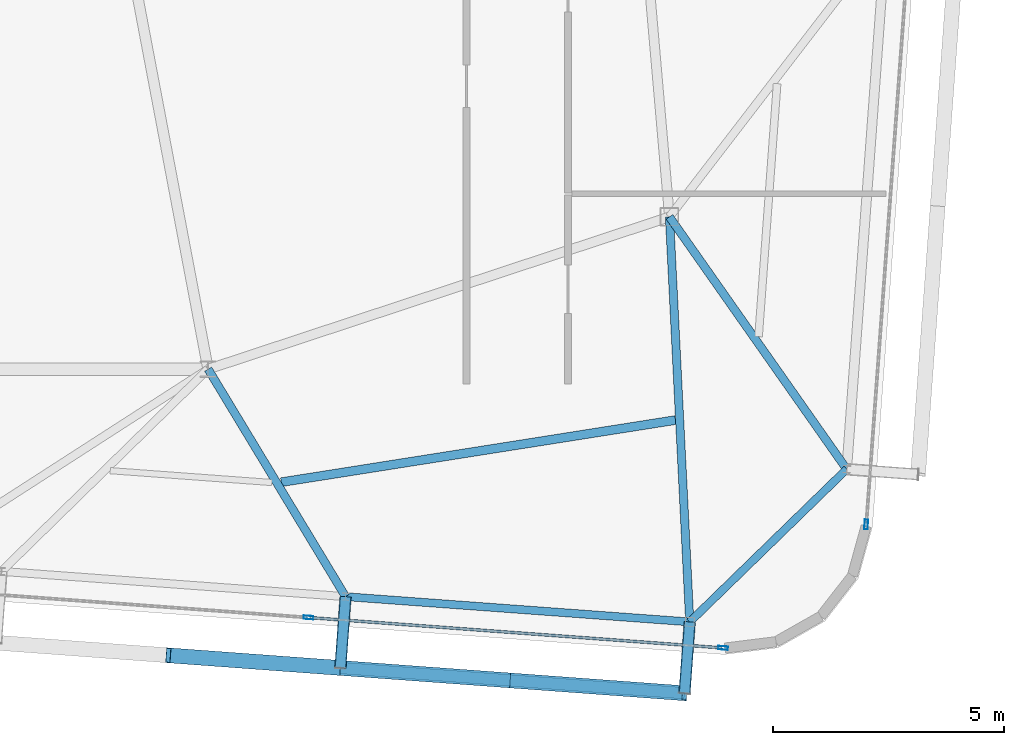
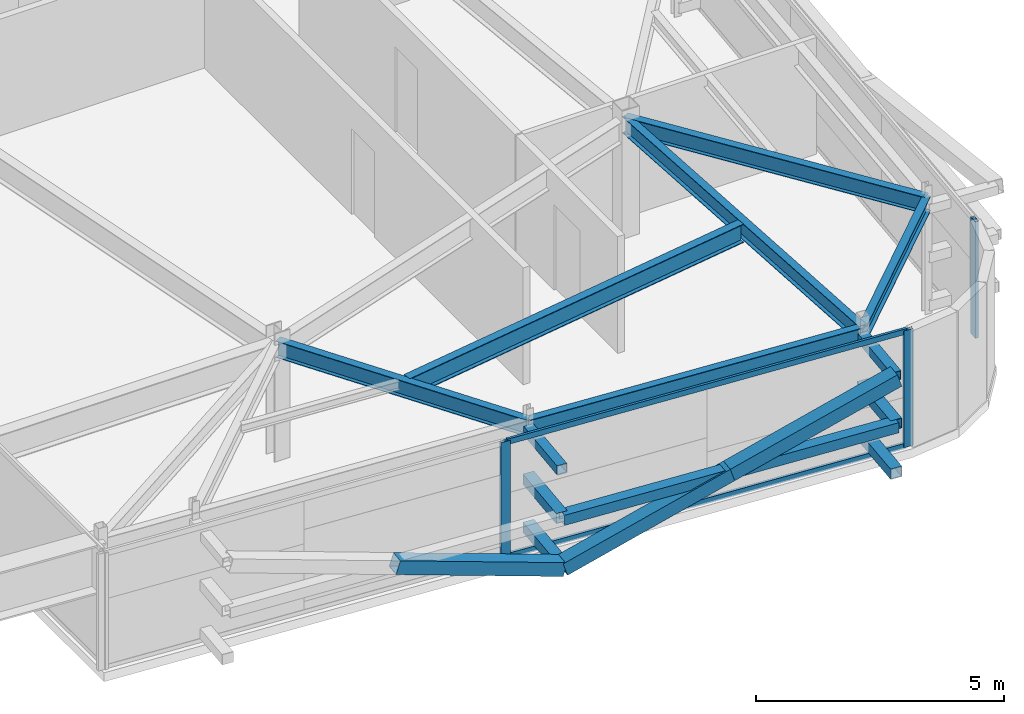
# One storey, part 19 of 40: 15 members, 6 beams, 2 elements without a shape of their own.
"""IFC4 building model written with IfcOpenShell, lengths in metres."""

from ifc_helpers import new_model, si_unit, direction, frame, origin, origin_2d, place, context, subcontext, project, spatial, hollow_rectangle, i_section, extrude, source, transform, mapped, material, layer, layer_set, material_profile, profile_set, type_object, element, aggregate, save


model = new_model("IFC4")

# Units and contexts
model_context = context("Model", 3, precision=1e-05, world=origin(), true_north=direction((0.0, 1.0)))
body_context = subcontext(model_context, "Body", "Model", "MODEL_VIEW")
ifc_project = project(units=[si_unit("LENGTHUNIT", "METRE"), si_unit("AREAUNIT", "SQUARE_METRE"), si_unit("VOLUMEUNIT", "CUBIC_METRE"), si_unit("PLANEANGLEUNIT", "RADIAN"), si_unit("MASSUNIT", "GRAM", prefix="KILO")], contexts=[model_context])

# Site, building, storey
site_placement = place(None, origin())
site = spatial("IfcSite", under=ifc_project, at=site_placement, CompositionType="ELEMENT")
building_placement = place(site_placement, origin())
building = spatial("IfcBuilding", under=site, at=building_placement, Name="Taldren Reach Tower", CompositionType="ELEMENT")
storey_placement = place(building_placement, frame((0.0, 0.0, 233.449951171875)))
storey = spatial("IfcBuildingStorey", under=building, at=storey_placement, Name="L71", CompositionType="ELEMENT", Elevation=233.449951171875)

# Members
ifc_material_1 = material(Name="Steel Gr 350 (C350L0)", Category="steel")
ifc_material_profile_1 = material_profile(ifc_material_1, hollow_rectangle(XDim=0.25, YDim=0.25, WallThickness=0.010009765625, at=origin_2d()), Name="250x250x10.0SHS")
ifc_profile_set_1 = profile_set([ifc_material_profile_1], Name="Steel Gr 350 (C350L0)")
member_type_1 = type_object("IfcMemberType", Name="MB-POST250", PredefinedType="POST", material=ifc_profile_set_1)
shared_shape_1 = source(origin(), body_context, "Body", "SweptSolid", [
    extrude(hollow_rectangle(XDim=0.25, YDim=0.25, WallThickness=0.010009765625, at=origin_2d()), origin(), (0.0, 0.0, 1.0), 1.550048828125),
])
for number, where, z_axis, x_axis, name in (
    (1, (44.980224609375, 4.26904296875, 0.219970703125), (-0.07323929162, -0.997314396849, 0.0), (0.997314396849, -0.07323929162, 0.0), "Exoskeleton base diaphragm tie strut B5-S5 L71"),
    (2, (52.440185546875, 3.72119140625, 0.219970703125), (-0.07323929162, -0.997314396849, 0.0), (0.997314396849, -0.07323929162, 0.0), "Exoskeleton base diaphragm tie strut B5-S6 L71"),
    (3, (44.980224609375, 4.26904296875, 1.405029296875), (-0.07323929162, -0.997314396849, 0.0), (0.997314396849, -0.07323929162, 0.0), "Exoskeleton mid-tier diaphragm tie B5-S5 L71"),
    (4, (52.440185546875, 3.72119140625, 1.405029296875), (-0.07323929162, -0.997314396849, 0.0), (0.997314396849, -0.07323929162, 0.0), "Exoskeleton mid-tier diaphragm tie B5-S6 L71"),
):
    element("IfcMember", number, at=place(storey_placement, frame(where, z_axis=z_axis, x_axis=x_axis)), inside=storey, type_object=member_type_1, Name=name, PredefinedType="POST", context=body_context, shape_type="MappedRepresentation", body=[
        mapped(shared_shape_1, transform((0.0, 0.0, 0.0), scale=1.0)),
    ])
ifc_material_2 = material(Name="Steel Gr 450 (C450L0)", Category="steel")
ifc_material_profile_2 = material_profile(ifc_material_2, hollow_rectangle(XDim=0.219970703125, YDim=0.219970703125, WallThickness=0.00830078125, at=origin_2d()), Name="220x220x8.2SHS")
ifc_profile_set_2 = profile_set([ifc_material_profile_2], Name="Steel Gr 450 (C450L0)")
member_type_2 = type_object("IfcMemberType", Name="MB-TIE219", PredefinedType="STRUT", material=ifc_profile_set_2)
shared_shape_2 = source(origin(), body_context, "Body", "SweptSolid", [
    extrude(hollow_rectangle(XDim=0.219970703125, YDim=0.219970703125, WallThickness=0.00830078125, at=origin_2d()), origin(), (0.0, 0.0, 1.0), 1.550048828125),
])
for number, where, z_axis, x_axis, name in (
    (5, (44.980224609375, 4.26904296875, 2.590087890625), (-0.07323929162, -0.997314396849, 0.0), (0.997314396849, -0.07323929162, 0.0), "Exoskeleton diaphragm tie strut B5-S5 L71"),
    (6, (52.440185546875, 3.72119140625, 2.590087890625), (-0.07323929162, -0.997314396849, 0.0), (0.997314396849, -0.07323929162, 0.0), "Exoskeleton diaphragm tie strut B5-S6 L71"),
):
    element("IfcMember", number, at=place(storey_placement, frame(where, z_axis=z_axis, x_axis=x_axis)), inside=storey, type_object=member_type_2, Name=name, PredefinedType="STRUT", context=body_context, shape_type="MappedRepresentation", body=[
        mapped(shared_shape_2, transform((0.0, 0.0, 0.0), scale=1.0)),
    ])

# Beams
ifc_material_3 = material(Name="Steel Gr 350 (350PLUS)", Category="steel")
ifc_material_profile_3 = material_profile(ifc_material_3, i_section(OverallWidth=0.172119140625, OverallDepth=0.35888671875, WebThickness=0.008056640625, FlangeThickness=0.012939453125, at=origin_2d()), Name="360UB56.7")
ifc_profile_set_3 = profile_set([ifc_material_profile_3], Name="Steel Gr 350 (350PLUS)")
beam_type_1 = type_object("IfcBeamType", Name="SP-UB360", PredefinedType="SPANDREL", material=ifc_profile_set_3)
shared_shape_3 = source(origin(), body_context, "Body", "SweptSolid", [
    extrude(i_section(OverallWidth=0.172119140625, OverallDepth=0.35888671875, WebThickness=0.008056640625, FlangeThickness=0.012939453125, at=origin_2d()), origin(), (0.0, 0.0, 1.0), 7.47998046875),
])
beam_1_placement = place(storey_placement, frame((44.980224609375, 4.26904296875, 2.6904296875), z_axis=(0.997314220642, -0.07324169103, 0.0), x_axis=(0.07324169103, 0.997314220642, 0.0)))
element("IfcBeam", 7, at=beam_1_placement, inside=storey, type_object=beam_type_1, Name="Perimeter spandrel B5 S5-S6 L71", PredefinedType="SPANDREL", context=body_context, shape_type="MappedRepresentation", body=[
    mapped(shared_shape_3, transform((0.0, 0.0, 0.0), scale=1.0)),
])
shared_shape_4 = source(origin(), body_context, "Body", "SweptSolid", [
    extrude(i_section(OverallWidth=0.172119140625, OverallDepth=0.35888671875, WebThickness=0.008056640625, FlangeThickness=0.012939453125, at=origin_2d()), origin(), (0.0, 0.0, 1.0), 4.74609375),
])
beam_2_placement = place(storey_placement, frame((52.440185546875, 3.72119140625, 2.6904296875), z_axis=(0.716711338436, 0.697369957309, 0.0), x_axis=(-0.697369957309, 0.716711338436, 0.0)))
element("IfcBeam", 8, at=beam_2_placement, inside=storey, type_object=beam_type_1, Name="Perimeter spandrel B5 S6-E1 L71", PredefinedType="SPANDREL", context=body_context, shape_type="MappedRepresentation", body=[
    mapped(shared_shape_4, transform((0.0, 0.0, 0.0), scale=1.0)),
])
ifc_material_profile_4 = material_profile(ifc_material_3, i_section(OverallWidth=0.177978515625, OverallDepth=0.406005859375, WebThickness=0.0078125, FlangeThickness=0.0126953125, at=origin_2d()), Name="410UB59.7")
ifc_profile_set_4 = profile_set([ifc_material_profile_4], Name="Steel Gr 350 (350PLUS)")
beam_type_2 = type_object("IfcBeamType", Name="BM-UB410", PredefinedType="BEAM", material=ifc_profile_set_4)
shared_shape_5 = source(origin(), body_context, "Body", "SweptSolid", [
    extrude(i_section(OverallWidth=0.177978515625, OverallDepth=0.406005859375, WebThickness=0.0078125, FlangeThickness=0.0126953125, at=origin_2d()), origin(), (0.0, 0.0, 1.0), 5.761474609375),
])
beam_3_placement = place(storey_placement, frame((42.0, 9.199951171875, 2.6669921875), z_axis=(0.517259852514, -0.855828396922, 0.0), x_axis=(0.855828396922, 0.517259852514, 0.0)))
element("IfcBeam", 9, at=beam_3_placement, inside=storey, type_object=beam_type_2, Name="Primary floor girder B5-S5 L71", PredefinedType="BEAM", context=body_context, shape_type="MappedRepresentation", body=[
    mapped(shared_shape_5, transform((0.0, 0.0, 0.0), scale=1.0)),
])
shared_shape_6 = source(origin(), body_context, "Body", "SweptSolid", [
    extrude(i_section(OverallWidth=0.177978515625, OverallDepth=0.406005859375, WebThickness=0.0078125, FlangeThickness=0.0126953125, at=origin_2d()), origin(), (0.0, 0.0, 1.0), 8.789794921875),
])
beam_4_placement = place(storey_placement, frame((52.0, 12.5, 2.6669921875), z_axis=(0.050078917367, -0.998745263836, 0.0), x_axis=(0.998745263836, 0.050078917367, 0.0)))
element("IfcBeam", 10, at=beam_4_placement, inside=storey, type_object=beam_type_2, Name="Primary floor girder B5-S6 L71", PredefinedType="BEAM", context=body_context, shape_type="MappedRepresentation", body=[
    mapped(shared_shape_6, transform((0.0, 0.0, 0.0), scale=1.0)),
])
shared_shape_7 = source(origin(), body_context, "Body", "SweptSolid", [
    extrude(i_section(OverallWidth=0.177978515625, OverallDepth=0.406005859375, WebThickness=0.0078125, FlangeThickness=0.0126953125, at=origin_2d()), origin(), (0.0, 0.0, 1.0), 6.68359375),
])
beam_5_placement = place(storey_placement, frame((52.0, 12.5, 2.6669921875), z_axis=(0.574817292651, -0.818281785249, 0.0), x_axis=(0.818281785249, 0.574817292651, 0.0)))
element("IfcBeam", 11, at=beam_5_placement, inside=storey, type_object=beam_type_2, Name="Primary floor girder B5-E1 L71", PredefinedType="BEAM", context=body_context, shape_type="MappedRepresentation", body=[
    mapped(shared_shape_7, transform((0.0, 0.0, 0.0), scale=1.0)),
])
ifc_material_profile_5 = material_profile(ifc_material_3, i_section(OverallWidth=0.19091796875, OverallDepth=0.4599609375, WebThickness=0.010009765625, FlangeThickness=0.01611328125, at=origin_2d()), Name="460UB82.1")
ifc_profile_set_5 = profile_set([ifc_material_profile_5], Name="Steel Gr 350 (350PLUS)")
beam_type_3 = type_object("IfcBeamType", Name="BM-UB460A", PredefinedType="BEAM", material=ifc_profile_set_5)
shared_shape_8 = source(origin(), body_context, "Body", "SweptSolid", [
    extrude(i_section(OverallWidth=0.19091796875, OverallDepth=0.4599609375, WebThickness=0.010009765625, FlangeThickness=0.01611328125, at=origin_2d()), origin(), (0.0, 0.0, 1.0), 8.65185546875),
])
beam_6_placement = place(storey_placement, frame((43.585205078125, 6.74951171875, 2.64013671875), z_axis=(0.987803200413, 0.155707537562, 0.0), x_axis=(-0.155707537562, 0.987803200413, 0.0)))
element("IfcBeam", 12, at=beam_6_placement, inside=storey, type_object=beam_type_3, Name="Secondary floor beam B5 J5 L71", PredefinedType="BEAM", context=body_context, shape_type="MappedRepresentation", body=[
    mapped(shared_shape_8, transform((0.0, 0.0, 0.0), scale=1.0)),
])

# Members
shared_shape_9 = source(origin(), body_context, "Body", "SweptSolid", [
    extrude(hollow_rectangle(XDim=0.25, YDim=0.25, WallThickness=0.010009765625, at=origin_2d()), origin(), (0.0, 0.0, 1.0), 7.47998046875),
])
member_1_placement = place(storey_placement, frame((44.86669921875, 2.72314453125, 1.405029296875), z_axis=(0.997314220642, -0.07324169103, 0.0), x_axis=(0.07324169103, 0.997314220642, 0.0)))
element("IfcMember", 13, at=member_1_placement, inside=storey, type_object=member_type_1, Name="Exoskeleton mid-height ring chord B5-S4 L71", PredefinedType="POST", context=body_context, shape_type="MappedRepresentation", body=[
    mapped(shared_shape_9, transform((0.0, 0.0, 0.0), scale=1.0)),
])
ifc_material_profile_6 = material_profile(ifc_material_2, hollow_rectangle(XDim=0.324951171875, YDim=0.324951171875, WallThickness=0.0126953125, at=origin_2d()), Name="325x325x12.7SHS")
ifc_profile_set_6 = profile_set([ifc_material_profile_6], Name="Steel Gr 450 (C450L0)")
member_type_3 = type_object("IfcMemberType", Name="MB-BR324", PredefinedType="BRACE", material=ifc_profile_set_6)
shared_shape_10 = source(origin(), body_context, "Body", "SweptSolid", [
    extrude(hollow_rectangle(XDim=0.324951171875, YDim=0.324951171875, WallThickness=0.0126953125, at=origin_2d()), origin(), (0.0, 0.0, 1.0), 3.92333984375),
])
for number, where, z_axis, x_axis, name in (
    (14, (44.86669921875, 2.72314453125, 0.219970703125), (-0.950729270276, 0.069820542038, 0.302057852986), (-0.07324169103, -0.997314220642, 0.0), "Exoskeleton Diagrid Brace B5-S3 L71"),
    (15, (44.86669921875, 2.72314453125, 0.219970703125), (0.950729270276, -0.069820542038, 0.302057852986), (0.07324169103, 0.997314220642, 0.0), "Exoskeleton Diagrid Brace B5-S4 L71"),
    (16, (48.5966796875, 2.44921875, 1.405029296875), (0.950729270276, -0.069820542038, 0.302057852986), (0.07324169103, 0.997314220642, 0.0), "Exoskeleton Diagrid Brace B5-S4 L71"),
):
    element("IfcMember", number, at=place(storey_placement, frame(where, z_axis=z_axis, x_axis=x_axis)), inside=storey, type_object=member_type_3, Name=name, PredefinedType="BRACE", context=body_context, shape_type="MappedRepresentation", body=[
        mapped(shared_shape_10, transform((0.0, 0.0, 0.0), scale=1.0)),
    ])

# Curtain wall, members
ifc_material_4 = material(Name="Aluminium and Low-E Glass Unitised System", Category="aluminium")
ifc_layer = layer(ifc_material_4, 0.159912109375)
ifc_layer_set = layer_set([ifc_layer], Name="Aluminium and Low-E Glass Unitised System")
curtain_wall_type = type_object("IfcCurtainWallType", Name="CW-SYS-7", PredefinedType="NOTDEFINED", material=ifc_layer_set)
curtain_wall_1_placement = place(storey_placement, origin())
curtain_wall_1 = element("IfcCurtainWall", 17, at=curtain_wall_1_placement, inside=storey, type_object=curtain_wall_type, Name="Unitised curtain wall CW-L71-SEWING", PredefinedType="NOTDEFINED")
ifc_material_5 = material(Name="Anodised Aluminium 6063-T6", Category="aluminium")
ifc_material_profile_7 = material_profile(ifc_material_5, hollow_rectangle(XDim=0.06005859375, YDim=0.135009765625, WallThickness=0.00341796875, at=origin_2d()), Name="ALU-135x60x3.5RHS")
ifc_profile_set_7 = profile_set([ifc_material_profile_7], Name="Anodised Aluminium 6063-T6")
member_type_4 = type_object("IfcMemberType", Name="CW-TRN-150", PredefinedType="USERDEFINED", material=ifc_profile_set_7)
shared_shape_11 = source(origin(), body_context, "Body", "SweptSolid", [
    extrude(hollow_rectangle(XDim=0.06005859375, YDim=0.135009765625, WallThickness=0.00341796875, at=origin_2d()), origin(), (0.0, 0.0, 1.0), 8.937255859375),
])
member_2_placement = place(storey_placement, frame((44.212646484375, 3.81396484375, 0.030029296875), z_axis=(0.997314583709, -0.073236747074, 0.0), x_axis=(0.073236747074, 0.997314583709, 0.0)))
member_2 = element("IfcMember", 18, at=member_2_placement, type_object=member_type_4, Name="CW-7 transom 2.1", ObjectType="TRANSOM", PredefinedType="USERDEFINED", context=body_context, shape_type="MappedRepresentation", body=[
    mapped(shared_shape_11, transform((0.0, 0.0, 0.0), scale=1.0)),
])
member_3_placement = place(storey_placement, frame((44.212646484375, 3.81396484375, 2.840087890625), z_axis=(0.997314583709, -0.073236747074, 0.0), x_axis=(0.073236747074, 0.997314583709, 0.0)))
member_3 = element("IfcMember", 19, at=member_3_placement, type_object=member_type_4, Name="CW-7 transom 2.2", ObjectType="TRANSOM", PredefinedType="USERDEFINED", context=body_context, shape_type="MappedRepresentation", body=[
    mapped(shared_shape_11, transform((0.0, 0.0, 0.0), scale=1.0)),
])
ifc_material_profile_8 = material_profile(ifc_material_5, hollow_rectangle(XDim=0.074951171875, YDim=0.2099609375, WallThickness=0.00439453125, at=origin_2d()), Name="ALU-210x75x4.5RHS")
ifc_profile_set_8 = profile_set([ifc_material_profile_8], Name="Anodised Aluminium 6063-T6")
member_type_5 = type_object("IfcMemberType", Name="CW-MUL-200", PredefinedType="MULLION", material=ifc_profile_set_8)
shared_shape_12 = source(origin(), body_context, "Body", "SweptSolid", [
    extrude(hollow_rectangle(XDim=0.074951171875, YDim=0.2099609375, WallThickness=0.00439453125, at=origin_2d()), origin(), (0.0, 0.0, 1.0), 2.8701171875),
])
member_4_placement = place(storey_placement, frame((44.17529296875, 3.816650390625, 0.0), z_axis=(0.0, 0.0, 1.0), x_axis=(0.073238086301, 0.997314485363, 0.0)))
member_4 = element("IfcMember", 20, at=member_4_placement, type_object=member_type_5, Name="CW-7 mullion 2", PredefinedType="MULLION", context=body_context, shape_type="MappedRepresentation", body=[
    mapped(shared_shape_12, transform((0.0, 0.0, 0.0), scale=1.0)),
])
member_5_placement = place(storey_placement, frame((53.163330078125, 3.15673828125, 0.0), z_axis=(0.0, 0.0, 1.0), x_axis=(0.073238086301, 0.997314485363, 0.0)))
member_5 = element("IfcMember", 21, at=member_5_placement, type_object=member_type_5, Name="CW-7 mullion 3", PredefinedType="MULLION", context=body_context, shape_type="MappedRepresentation", body=[
    mapped(shared_shape_12, transform((0.0, 0.0, 0.0), scale=1.0)),
])
aggregate(curtain_wall_1, [member_4, member_5, member_2, member_3])

# Curtain wall, member
curtain_wall_2_placement = place(storey_placement, origin())
curtain_wall_2 = element("IfcCurtainWall", 22, at=curtain_wall_2_placement, inside=storey, type_object=curtain_wall_type, Name="Unitised curtain wall CW-L71-E", PredefinedType="NOTDEFINED")
member_6_placement = place(storey_placement, frame((56.26513671875, 5.834228515625, 0.0), z_axis=(0.0, 0.0, 1.0), x_axis=(-0.997314470951, 0.073238282558, 0.0)))
member_6 = element("IfcMember", 23, at=member_6_placement, type_object=member_type_5, Name="CW-7 mullion 1", PredefinedType="MULLION", context=body_context, shape_type="MappedRepresentation", body=[
    mapped(shared_shape_12, transform((0.0, 0.0, 0.0), scale=1.0)),
])
aggregate(curtain_wall_2, [member_6])

save(model, "model.ifc")
